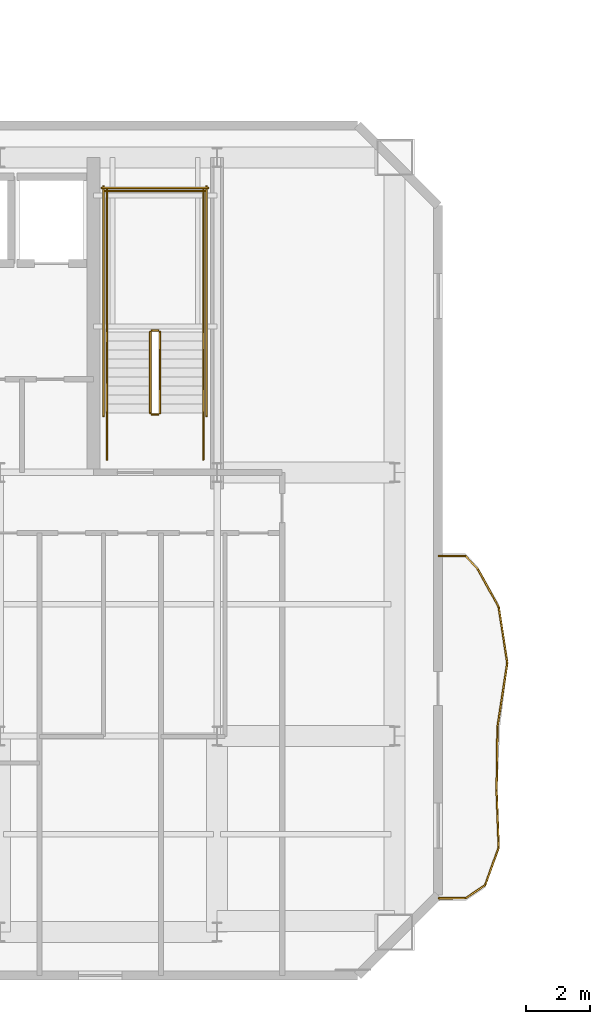
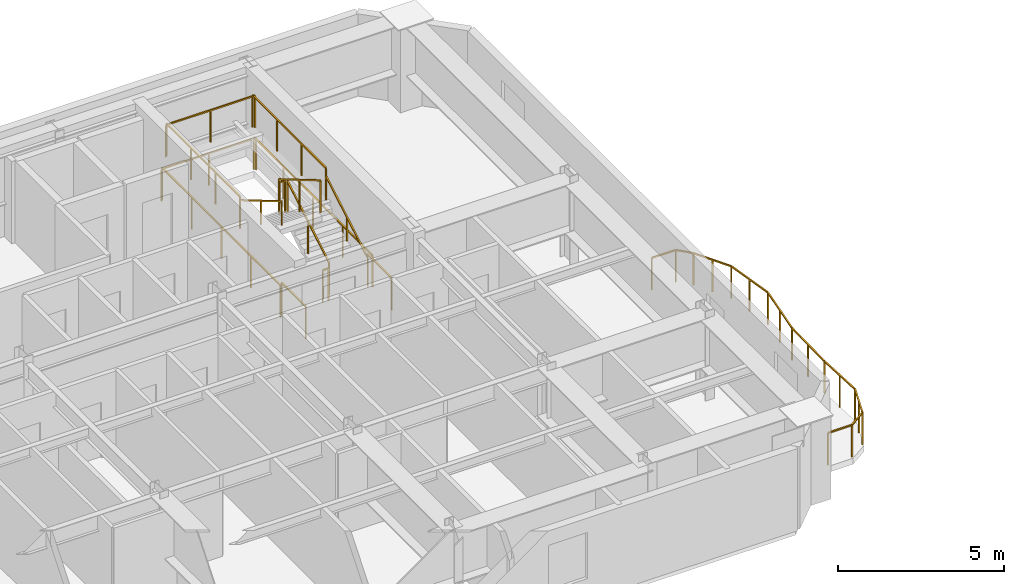
# One storey, part 14 of 16: 24 railings.
"""IFC4 building model written with IfcOpenShell, lengths in metres."""

from ifc_helpers import new_model, si_unit, direction, frame, origin, origin_2d, place, context, subcontext, project, spatial, rectangle, extrude, material, type_object, element, save


model = new_model("IFC4")

# Units and contexts
model_context = context("Model", 3, precision=1e-05, world=origin(), true_north=direction((0.0, 1.0)))
body_context = subcontext(model_context, "Body", "Model", "MODEL_VIEW")
ifc_project = project(units=[si_unit("LENGTHUNIT", "METRE"), si_unit("AREAUNIT", "SQUARE_METRE"), si_unit("VOLUMEUNIT", "CUBIC_METRE"), si_unit("PLANEANGLEUNIT", "RADIAN"), si_unit("MASSUNIT", "GRAM", prefix="KILO")], contexts=[model_context])

# Site, building, storey
site_placement = place(None, origin())
site = spatial("IfcSite", under=ifc_project, at=site_placement, CompositionType="ELEMENT")
building_placement = place(site_placement, origin())
building = spatial("IfcBuilding", under=site, at=building_placement, Name="Haevon Station Towers", CompositionType="ELEMENT")
storey_placement = place(building_placement, frame((0.0, 0.0, 215.39990234375)))
storey = spatial("IfcBuildingStorey", under=building, at=storey_placement, Name="L59", CompositionType="ELEMENT", Elevation=215.39990234375)

# Railings
ifc_material = material(Name="Steel S355", Category="steel")
railing_type_1 = type_object("IfcRailingType", Name="GRD-EXT1200", PredefinedType="GUARDRAIL", material=ifc_material)
railing_1_placement = place(storey_placement, frame((57.8984375, 24.952880859375, 0.0)))
element("IfcRailing", 1, at=railing_1_placement, inside=storey, type_object=railing_type_1, Name="L59 Perimeter Guardrail 1", PredefinedType="GUARDRAIL", context=body_context, shape_type="SweptSolid", body=[
    extrude(rectangle(XDim=0.048095703125, YDim=0.048095703125, at=origin_2d()), frame((0.0, 0.0, 1.17578125), z_axis=(0.999997283225, 0.002330995998, 0.0), x_axis=(-0.002330995998, 0.999997283225, 0.0)), (0.0, 0.0, 1.0), 0.837890625),
    extrude(rectangle(XDim=0.0419921875, YDim=0.0419921875, at=origin_2d()), origin(), (0.0, 0.0, 1.0), 1.15185546875),
    extrude(rectangle(XDim=0.0419921875, YDim=0.0419921875, at=origin_2d()), frame((0.837890625, 0.001953125, 0.0)), (0.0, 0.0, 1.0), 1.15185546875),
])
railing_2_placement = place(storey_placement, frame((58.736328125, 24.954833984375, 0.0)))
element("IfcRailing", 2, at=railing_2_placement, inside=storey, type_object=railing_type_1, Name="L59 Perimeter Guardrail 2", PredefinedType="GUARDRAIL", context=body_context, shape_type="SweptSolid", body=[
    extrude(rectangle(XDim=0.048095703125, YDim=0.048095703125, at=origin_2d()), frame((0.0, 0.0, 1.17578125), z_axis=(0.826665387993, 0.562693821091, 0.0), x_axis=(-0.562693821091, 0.826665387993, 0.0)), (0.0, 0.0, 1.0), 0.730712890625),
    extrude(rectangle(XDim=0.0419921875, YDim=0.0419921875, at=origin_2d()), origin(), (0.0, 0.0, 1.0), 1.15185546875),
    extrude(rectangle(XDim=0.0419921875, YDim=0.0419921875, at=origin_2d()), frame((0.60400390625, 0.4111328125, 0.0)), (0.0, 0.0, 1.0), 1.15185546875),
])
railing_3_placement = place(storey_placement, frame((59.34033203125, 25.365966796875, 0.0)))
element("IfcRailing", 3, at=railing_3_placement, inside=storey, type_object=railing_type_1, Name="L59 Perimeter Guardrail 3", PredefinedType="GUARDRAIL", context=body_context, shape_type="SweptSolid", body=[
    extrude(rectangle(XDim=0.048095703125, YDim=0.048095703125, at=origin_2d()), frame((0.0, 0.0, 1.17578125), z_axis=(0.337369310721, 0.941372374878, 0.0), x_axis=(-0.941372374878, 0.337369310721, 0.0)), (0.0, 0.0, 1.0), 1.242431640625),
    extrude(rectangle(XDim=0.0419921875, YDim=0.0419921875, at=origin_2d()), origin(), (0.0, 0.0, 1.0), 1.15185546875),
    extrude(rectangle(XDim=0.0419921875, YDim=0.0419921875, at=origin_2d()), frame((0.20947265625, 0.5849609375, 0.0)), (0.0, 0.0, 1.0), 1.15185546875),
    extrude(rectangle(XDim=0.0419921875, YDim=0.0419921875, at=origin_2d()), frame((0.419189453125, 1.169677734375, 0.0)), (0.0, 0.0, 1.0), 1.15185546875),
])
railing_4_placement = place(storey_placement, frame((59.759521484375, 26.53564453125, 0.0)))
element("IfcRailing", 4, at=railing_4_placement, inside=storey, type_object=railing_type_1, Name="L59 Perimeter Guardrail 4", PredefinedType="GUARDRAIL", context=body_context, shape_type="SweptSolid", body=[
    extrude(rectangle(XDim=0.048095703125, YDim=0.048095703125, at=origin_2d()), frame((0.0, 0.0, 1.17578125), z_axis=(-0.036800275781, 0.999322640443, 0.0), x_axis=(-0.999322640443, -0.036800275781, 0.0)), (0.0, 0.0, 1.0), 1.75146484375),
    extrude(rectangle(XDim=0.0419921875, YDim=0.0419921875, at=origin_2d()), origin(), (0.0, 0.0, 1.0), 1.15185546875),
    extrude(rectangle(XDim=0.0419921875, YDim=0.0419921875, at=origin_2d()), frame((-0.0322265625, 0.875, 0.0)), (0.0, 0.0, 1.0), 1.15185546875),
    extrude(rectangle(XDim=0.0419921875, YDim=0.0419921875, at=origin_2d()), frame((-0.064453125, 1.750244140625, 0.0)), (0.0, 0.0, 1.0), 1.15185546875),
])
railing_5_placement = place(storey_placement, frame((59.695068359375, 28.285888671875, 0.0)))
element("IfcRailing", 5, at=railing_5_placement, inside=storey, type_object=railing_type_1, Name="L59 Perimeter Guardrail 5", PredefinedType="GUARDRAIL", context=body_context, shape_type="SweptSolid", body=[
    extrude(rectangle(XDim=0.048095703125, YDim=0.048095703125, at=origin_2d()), frame((0.0, 0.0, 1.17578125), z_axis=(0.012764395152, 0.99991853179, 0.0), x_axis=(-0.99991853179, 0.012764395152, 0.0)), (0.0, 0.0, 1.0), 1.9892578125),
    extrude(rectangle(XDim=0.0419921875, YDim=0.0419921875, at=origin_2d()), origin(), (0.0, 0.0, 1.0), 1.15185546875),
    extrude(rectangle(XDim=0.0419921875, YDim=0.0419921875, at=origin_2d()), frame((0.0126953125, 0.99462890625, 0.0)), (0.0, 0.0, 1.0), 1.15185546875),
    extrude(rectangle(XDim=0.0419921875, YDim=0.0419921875, at=origin_2d()), frame((0.025390625, 1.989013671875, 0.0)), (0.0, 0.0, 1.0), 1.15185546875),
])
railing_6_placement = place(storey_placement, frame((59.720458984375, 30.27490234375, 0.0)))
element("IfcRailing", 6, at=railing_6_placement, inside=storey, type_object=railing_type_1, Name="L59 Perimeter Guardrail 6", PredefinedType="GUARDRAIL", context=body_context, shape_type="SweptSolid", body=[
    extrude(rectangle(XDim=0.048095703125, YDim=0.048095703125, at=origin_2d()), frame((0.0, 0.0, 1.17578125), z_axis=(0.152057184254, 0.988371697651, 0.0), x_axis=(-0.988371697651, 0.152057184254, 0.0)), (0.0, 0.0, 1.0), 2.0166015625),
    extrude(rectangle(XDim=0.0419921875, YDim=0.0419921875, at=origin_2d()), origin(), (0.0, 0.0, 1.0), 1.15185546875),
    extrude(rectangle(XDim=0.0419921875, YDim=0.0419921875, at=origin_2d()), frame((0.1533203125, 0.99658203125, 0.0)), (0.0, 0.0, 1.0), 1.15185546875),
    extrude(rectangle(XDim=0.0419921875, YDim=0.0419921875, at=origin_2d()), frame((0.306640625, 1.9931640625, 0.0)), (0.0, 0.0, 1.0), 1.15185546875),
])
railing_7_placement = place(storey_placement, frame((60.027099609375, 32.26806640625, 0.0)))
element("IfcRailing", 7, at=railing_7_placement, inside=storey, type_object=railing_type_1, Name="L59 Perimeter Guardrail 7", PredefinedType="GUARDRAIL", context=body_context, shape_type="SweptSolid", body=[
    extrude(rectangle(XDim=0.048095703125, YDim=0.048095703125, at=origin_2d()), frame((0.0, 0.0, 1.17578125), z_axis=(-0.151454876704, 0.988464172503, 0.0), x_axis=(-0.988464172503, -0.151454876704, 0.0)), (0.0, 0.0, 1.0), 1.7666015625),
    extrude(rectangle(XDim=0.0419921875, YDim=0.0419921875, at=origin_2d()), origin(), (0.0, 0.0, 1.0), 1.15185546875),
    extrude(rectangle(XDim=0.0419921875, YDim=0.0419921875, at=origin_2d()), frame((-0.1337890625, 0.873046875, 0.0)), (0.0, 0.0, 1.0), 1.15185546875),
    extrude(rectangle(XDim=0.0419921875, YDim=0.0419921875, at=origin_2d()), frame((-0.267578125, 1.746337890625, 0.0)), (0.0, 0.0, 1.0), 1.15185546875),
])
railing_8_placement = place(storey_placement, frame((59.759521484375, 34.014404296875, 0.0)))
element("IfcRailing", 8, at=railing_8_placement, inside=storey, type_object=railing_type_1, Name="L59 Perimeter Guardrail 8", PredefinedType="GUARDRAIL", context=body_context, shape_type="SweptSolid", body=[
    extrude(rectangle(XDim=0.048095703125, YDim=0.048095703125, at=origin_2d()), frame((0.0, 0.0, 1.17578125), z_axis=(-0.483391346745, 0.875404367074, 0.0), x_axis=(-0.875404367074, -0.483391346745, 0.0)), (0.0, 0.0, 1.0), 1.3359375),
    extrude(rectangle(XDim=0.0419921875, YDim=0.0419921875, at=origin_2d()), origin(), (0.0, 0.0, 1.0), 1.15185546875),
    extrude(rectangle(XDim=0.0419921875, YDim=0.0419921875, at=origin_2d()), frame((-0.32275390625, 0.584716796875, 0.0)), (0.0, 0.0, 1.0), 1.15185546875),
    extrude(rectangle(XDim=0.0419921875, YDim=0.0419921875, at=origin_2d()), frame((-0.645751953125, 1.16943359375, 0.0)), (0.0, 0.0, 1.0), 1.15185546875),
])
railing_9_placement = place(storey_placement, frame((59.11376953125, 35.183837890625, 0.0)))
element("IfcRailing", 9, at=railing_9_placement, inside=storey, type_object=railing_type_1, Name="L59 Perimeter Guardrail 9", PredefinedType="GUARDRAIL", context=body_context, shape_type="SweptSolid", body=[
    extrude(rectangle(XDim=0.048095703125, YDim=0.048095703125, at=origin_2d()), frame((0.0, 0.0, 1.17578125), z_axis=(-0.676061194254, 0.736845480154, 0.0), x_axis=(-0.736845480154, -0.676061194254, 0.0)), (0.0, 0.0, 1.0), 0.558349609375),
    extrude(rectangle(XDim=0.0419921875, YDim=0.0419921875, at=origin_2d()), origin(), (0.0, 0.0, 1.0), 1.15185546875),
    extrude(rectangle(XDim=0.0419921875, YDim=0.0419921875, at=origin_2d()), frame((-0.37744140625, 0.411376953125, 0.0)), (0.0, 0.0, 1.0), 1.15185546875),
])
railing_10_placement = place(storey_placement, frame((58.736328125, 35.59521484375, 0.0)))
element("IfcRailing", 10, at=railing_10_placement, inside=storey, type_object=railing_type_1, Name="L59 Perimeter Guardrail 10", PredefinedType="GUARDRAIL", context=body_context, shape_type="SweptSolid", body=[
    extrude(rectangle(XDim=0.048095703125, YDim=0.048095703125, at=origin_2d()), frame((0.0, 0.0, 1.17578125), z_axis=(-0.999997283225, 0.002330995998, 0.0), x_axis=(-0.002330995998, -0.999997283225, 0.0)), (0.0, 0.0, 1.0), 0.837890625),
    extrude(rectangle(XDim=0.0419921875, YDim=0.0419921875, at=origin_2d()), origin(), (0.0, 0.0, 1.0), 1.15185546875),
    extrude(rectangle(XDim=0.0419921875, YDim=0.0419921875, at=origin_2d()), frame((-0.837890625, 0.001953125, 0.0)), (0.0, 0.0, 1.0), 1.15185546875),
])
railing_type_2 = type_object("IfcRailingType", Name="GRD-STR1200", PredefinedType="GUARDRAIL", material=ifc_material)
railing_11_placement = place(storey_placement, frame((49.219970703125, 40.050048828125, 0.1650390625)))
element("IfcRailing", 11, at=railing_11_placement, inside=storey, type_object=railing_type_2, Name="L59 ST2 Stair Guard 1", PredefinedType="GUARDRAIL", context=body_context, shape_type="SweptSolid", body=[
    extrude(rectangle(XDim=0.048095703125, YDim=0.048095703125, at=origin_2d()), frame((0.0, 0.0, 1.17578125), z_axis=(0.0, 0.86152411907, 0.507716645641), x_axis=(-1.0, 0.0, 0.0)), (0.0, 0.0, 1.0), 2.925048828125),
    extrude(rectangle(XDim=0.0419921875, YDim=0.0419921875, at=origin_2d()), origin(), (0.0, 0.0, 1.0), 1.15185546875),
    extrude(rectangle(XDim=0.0419921875, YDim=0.0419921875, at=origin_2d()), frame((0.0, 1.260009765625, 0.74267578125)), (0.0, 0.0, 1.0), 1.15185546875),
    extrude(rectangle(XDim=0.0419921875, YDim=0.0419921875, at=origin_2d()), frame((0.0, 2.52001953125, 1.485107421875)), (0.0, 0.0, 1.0), 1.15185546875),
])
railing_12_placement = place(storey_placement, frame((49.169921875, 42.6201171875, 1.650146484375)))
element("IfcRailing", 12, at=railing_12_placement, inside=storey, type_object=railing_type_2, Name="L59 ST2 Stair Guard 2", PredefinedType="GUARDRAIL", context=body_context, shape_type="SweptSolid", body=[
    extrude(rectangle(XDim=0.048095703125, YDim=0.048095703125, at=origin_2d()), frame((0.0, 0.0, 1.17578125), z_axis=(-1.0, 0.0, 0.0), x_axis=(0.0, -1.0, 0.0)), (0.0, 0.0, 1.0), 0.199951171875),
    extrude(rectangle(XDim=0.0419921875, YDim=0.0419921875, at=origin_2d()), origin(), (0.0, 0.0, 1.0), 1.15185546875),
    extrude(rectangle(XDim=0.0419921875, YDim=0.0419921875, at=origin_2d()), frame((-0.199951171875, 0.0, 0.0)), (0.0, 0.0, 1.0), 1.15185546875),
])
for number, where, name in (
    (13, (50.570068359375, 42.570068359375, 1.650146484375), "L59 ST2 Stair Guard 3"),
    (14, (47.570068359375, 42.570068359375, 1.650146484375), "L59 ST2 Stair Guard 4"),
):
    element("IfcRailing", number, at=place(storey_placement, frame(where)), inside=storey, type_object=railing_type_2, Name=name, PredefinedType="GUARDRAIL", context=body_context, shape_type="SweptSolid", body=[
        extrude(rectangle(XDim=0.048095703125, YDim=0.048095703125, at=origin_2d()), frame((0.0, 0.0, 1.17578125), z_axis=(0.0, 1.0, 0.0), x_axis=(-1.0, 0.0, 0.0)), (0.0, 0.0, 1.0), 4.429931640625),
        extrude(rectangle(XDim=0.0419921875, YDim=0.0419921875, at=origin_2d()), origin(), (0.0, 0.0, 1.0), 1.15185546875),
        extrude(rectangle(XDim=0.0419921875, YDim=0.0419921875, at=origin_2d()), frame((0.0, 1.4765625, 0.0)), (0.0, 0.0, 1.0), 1.15185546875),
        extrude(rectangle(XDim=0.0419921875, YDim=0.0419921875, at=origin_2d()), frame((0.0, 2.953369140625, 0.0)), (0.0, 0.0, 1.0), 1.15185546875),
        extrude(rectangle(XDim=0.0419921875, YDim=0.0419921875, at=origin_2d()), frame((0.0, 4.429931640625, 0.0)), (0.0, 0.0, 1.0), 1.15185546875),
    ])
railing_13_placement = place(storey_placement, frame((50.6201171875, 46.949951171875, 1.650146484375)))
element("IfcRailing", 15, at=railing_13_placement, inside=storey, type_object=railing_type_2, Name="L59 ST2 Stair Guard 5", PredefinedType="GUARDRAIL", context=body_context, shape_type="SweptSolid", body=[
    extrude(rectangle(XDim=0.048095703125, YDim=0.048095703125, at=origin_2d()), frame((0.0, 0.0, 1.17578125), z_axis=(-1.0, 0.0, 0.0), x_axis=(0.0, -1.0, 0.0)), (0.0, 0.0, 1.0), 3.10009765625),
    extrude(rectangle(XDim=0.0419921875, YDim=0.0419921875, at=origin_2d()), origin(), (0.0, 0.0, 1.0), 1.15185546875),
    extrude(rectangle(XDim=0.0419921875, YDim=0.0419921875, at=origin_2d()), frame((-1.550048828125, 0.0, 0.0)), (0.0, 0.0, 1.0), 1.15185546875),
    extrude(rectangle(XDim=0.0419921875, YDim=0.0419921875, at=origin_2d()), frame((-3.10009765625, 0.0, 0.0)), (0.0, 0.0, 1.0), 1.15185546875),
])
railing_14_placement = place(storey_placement, frame((48.919921875, 42.570068359375, 1.815185546875)))
element("IfcRailing", 16, at=railing_14_placement, inside=storey, type_object=railing_type_2, Name="L59 ST2 Stair Guard 6", PredefinedType="GUARDRAIL", context=body_context, shape_type="SweptSolid", body=[
    extrude(rectangle(XDim=0.048095703125, YDim=0.048095703125, at=origin_2d()), frame((0.0, 0.0, 1.17578125), z_axis=(0.0, -0.861560626758, 0.507654692109), x_axis=(1.0, 0.0, 0.0)), (0.0, 0.0, 1.0), 2.925048828125),
    extrude(rectangle(XDim=0.0419921875, YDim=0.0419921875, at=origin_2d()), origin(), (0.0, 0.0, 1.0), 1.15185546875),
    extrude(rectangle(XDim=0.0419921875, YDim=0.0419921875, at=origin_2d()), frame((0.0, -1.260009765625, 0.742431640625)), (0.0, 0.0, 1.0), 1.15185546875),
    extrude(rectangle(XDim=0.0419921875, YDim=0.0419921875, at=origin_2d()), frame((0.0, -2.52001953125, 1.48486328125)), (0.0, 0.0, 1.0), 1.15185546875),
])
railing_15_placement = place(storey_placement, frame((49.169921875, 40.0, 0.0)))
element("IfcRailing", 17, at=railing_15_placement, inside=storey, type_object=railing_type_2, Name="L59 ST2 Stair Guard 7", PredefinedType="GUARDRAIL", context=body_context, shape_type="SweptSolid", body=[
    extrude(rectangle(XDim=0.048095703125, YDim=0.048095703125, at=origin_2d()), frame((0.0, 0.0, 1.17578125), z_axis=(-1.0, 0.0, 0.0), x_axis=(0.0, -1.0, 0.0)), (0.0, 0.0, 1.0), 0.199951171875),
    extrude(rectangle(XDim=0.0419921875, YDim=0.0419921875, at=origin_2d()), origin(), (0.0, 0.0, 1.0), 1.15185546875),
    extrude(rectangle(XDim=0.0419921875, YDim=0.0419921875, at=origin_2d()), frame((-0.199951171875, 0.0, 0.0)), (0.0, 0.0, 1.0), 1.15185546875),
])
for number, where, name in (
    (18, (50.570068359375, 38.60009765625, 0.0), "L59 ST2 Stair Guard 8"),
    (19, (47.570068359375, 38.60009765625, 0.0), "L59 ST2 Stair Guard 9"),
):
    element("IfcRailing", number, at=place(storey_placement, frame(where)), inside=storey, type_object=railing_type_2, Name=name, PredefinedType="GUARDRAIL", context=body_context, shape_type="SweptSolid", body=[
        extrude(rectangle(XDim=0.048095703125, YDim=0.048095703125, at=origin_2d()), frame((0.0, 0.0, 1.17578125), z_axis=(0.0, 1.0, 0.0), x_axis=(-1.0, 0.0, 0.0)), (0.0, 0.0, 1.0), 1.449951171875),
        extrude(rectangle(XDim=0.0419921875, YDim=0.0419921875, at=origin_2d()), origin(), (0.0, 0.0, 1.0), 1.15185546875),
        extrude(rectangle(XDim=0.0419921875, YDim=0.0419921875, at=origin_2d()), frame((0.0, 1.449951171875, 0.0)), (0.0, 0.0, 1.0), 1.15185546875),
    ])
for number, where, name in (
    (20, (50.669921875, 39.949951171875, 0.0), "L59 ST2 Stair Guard 10"),
    (21, (47.469970703125, 39.949951171875, 0.0), "L59 ST2 Stair Guard 11"),
):
    element("IfcRailing", number, at=place(storey_placement, frame(where)), inside=storey, type_object=railing_type_2, Name=name, PredefinedType="GUARDRAIL", context=body_context, shape_type="SweptSolid", body=[
        extrude(rectangle(XDim=0.048095703125, YDim=0.048095703125, at=origin_2d()), frame((0.0, 0.0, 1.17578125), z_axis=(0.0, 1.0, 0.0), x_axis=(-1.0, 0.0, 0.0)), (0.0, 0.0, 1.0), 7.150146484375),
        extrude(rectangle(XDim=0.0419921875, YDim=0.0419921875, at=origin_2d()), origin(), (0.0, 0.0, 1.0), 1.15185546875),
        extrude(rectangle(XDim=0.0419921875, YDim=0.0419921875, at=origin_2d()), frame((0.0, 1.78759765625, 0.0)), (0.0, 0.0, 1.0), 1.15185546875),
        extrude(rectangle(XDim=0.0419921875, YDim=0.0419921875, at=origin_2d()), frame((0.0, 3.5751953125, 0.0)), (0.0, 0.0, 1.0), 1.15185546875),
        extrude(rectangle(XDim=0.0419921875, YDim=0.0419921875, at=origin_2d()), frame((0.0, 5.362548828125, 0.0)), (0.0, 0.0, 1.0), 1.15185546875),
        extrude(rectangle(XDim=0.0419921875, YDim=0.0419921875, at=origin_2d()), frame((0.0, 7.150146484375, 0.0)), (0.0, 0.0, 1.0), 1.15185546875),
    ])
railing_16_placement = place(storey_placement, frame((50.719970703125, 47.050048828125, 0.0)))
element("IfcRailing", 22, at=railing_16_placement, inside=storey, type_object=railing_type_2, Name="L59 ST2 Stair Guard 12", PredefinedType="GUARDRAIL", context=body_context, shape_type="SweptSolid", body=[
    extrude(rectangle(XDim=0.048095703125, YDim=0.048095703125, at=origin_2d()), frame((0.0, 0.0, 1.17578125), z_axis=(-1.0, 0.0, 0.0), x_axis=(0.0, -1.0, 0.0)), (0.0, 0.0, 1.0), 3.300048828125),
    extrude(rectangle(XDim=0.0419921875, YDim=0.0419921875, at=origin_2d()), origin(), (0.0, 0.0, 1.0), 1.15185546875),
    extrude(rectangle(XDim=0.0419921875, YDim=0.0419921875, at=origin_2d()), frame((-1.64990234375, 0.0, 0.0)), (0.0, 0.0, 1.0), 1.15185546875),
    extrude(rectangle(XDim=0.0419921875, YDim=0.0419921875, at=origin_2d()), frame((-3.300048828125, 0.0, 0.0)), (0.0, 0.0, 1.0), 1.15185546875),
])
railing_type_3 = type_object("IfcRailingType", Name="HND-STR900", PredefinedType="HANDRAIL", material=ifc_material)
railing_17_placement = place(storey_placement, frame((50.570068359375, 40.050048828125, 0.1650390625)))
element("IfcRailing", 23, at=railing_17_placement, inside=storey, type_object=railing_type_3, Name="L59 ST2 Stair Handrail 1", PredefinedType="HANDRAIL", context=body_context, shape_type="SweptSolid", body=[
    extrude(rectangle(XDim=0.048095703125, YDim=0.048095703125, at=origin_2d()), frame((0.0, 0.0, 0.8759765625), z_axis=(0.0, 0.86152411907, 0.507716645641), x_axis=(-1.0, 0.0, 0.0)), (0.0, 0.0, 1.0), 2.925048828125),
    extrude(rectangle(XDim=0.0419921875, YDim=0.0419921875, at=origin_2d()), origin(), (0.0, 0.0, 1.0), 0.851806640625),
    extrude(rectangle(XDim=0.0419921875, YDim=0.0419921875, at=origin_2d()), frame((0.0, 1.260009765625, 0.74267578125)), (0.0, 0.0, 1.0), 0.851806640625),
    extrude(rectangle(XDim=0.0419921875, YDim=0.0419921875, at=origin_2d()), frame((0.0, 2.52001953125, 1.485107421875)), (0.0, 0.0, 1.0), 0.851806640625),
])
railing_18_placement = place(storey_placement, frame((47.570068359375, 42.570068359375, 1.815185546875)))
element("IfcRailing", 24, at=railing_18_placement, inside=storey, type_object=railing_type_3, Name="L59 ST2 Stair Handrail 2", PredefinedType="HANDRAIL", context=body_context, shape_type="SweptSolid", body=[
    extrude(rectangle(XDim=0.048095703125, YDim=0.048095703125, at=origin_2d()), frame((0.0, 0.0, 0.8759765625), z_axis=(0.0, -0.861560626758, 0.507654692109), x_axis=(1.0, 0.0, 0.0)), (0.0, 0.0, 1.0), 2.925048828125),
    extrude(rectangle(XDim=0.0419921875, YDim=0.0419921875, at=origin_2d()), origin(), (0.0, 0.0, 1.0), 0.851806640625),
    extrude(rectangle(XDim=0.0419921875, YDim=0.0419921875, at=origin_2d()), frame((0.0, -1.260009765625, 0.742431640625)), (0.0, 0.0, 1.0), 0.851806640625),
    extrude(rectangle(XDim=0.0419921875, YDim=0.0419921875, at=origin_2d()), frame((0.0, -2.52001953125, 1.48486328125)), (0.0, 0.0, 1.0), 0.851806640625),
])

save(model, "model.ifc")
